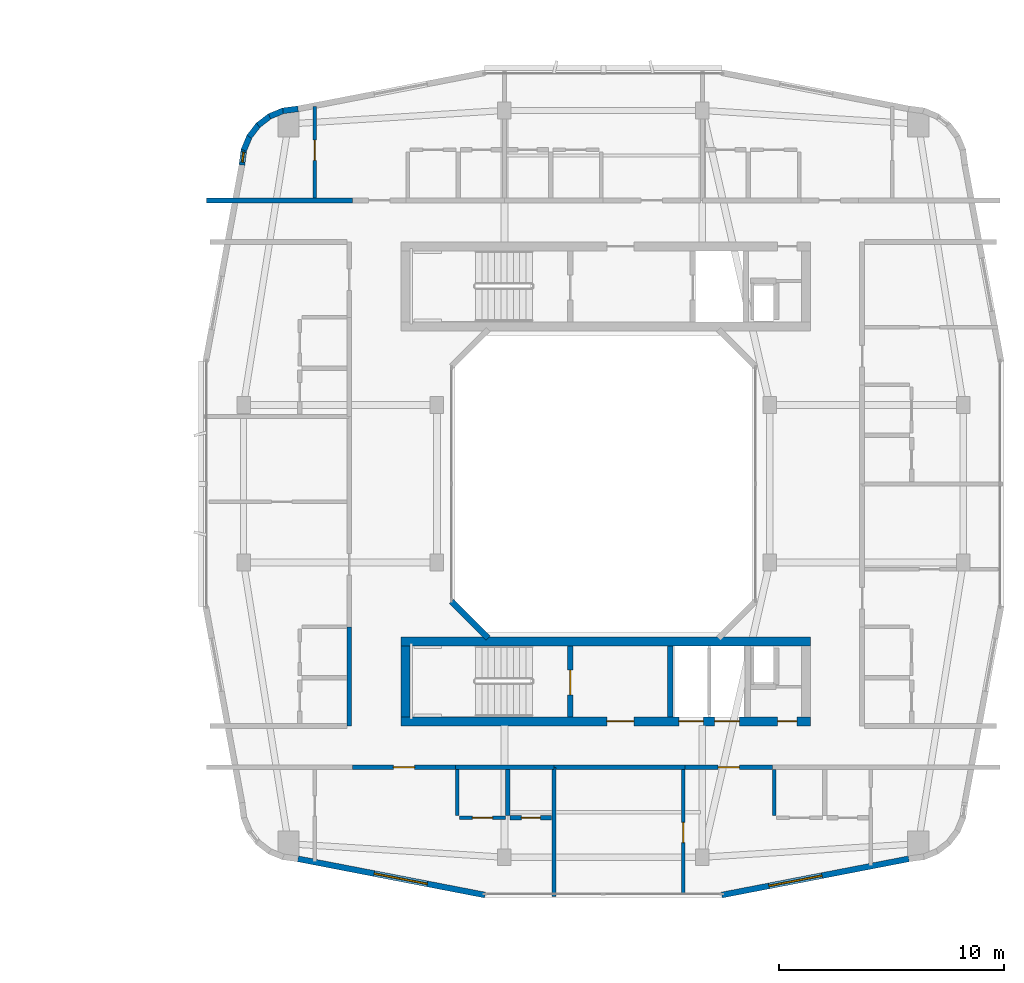
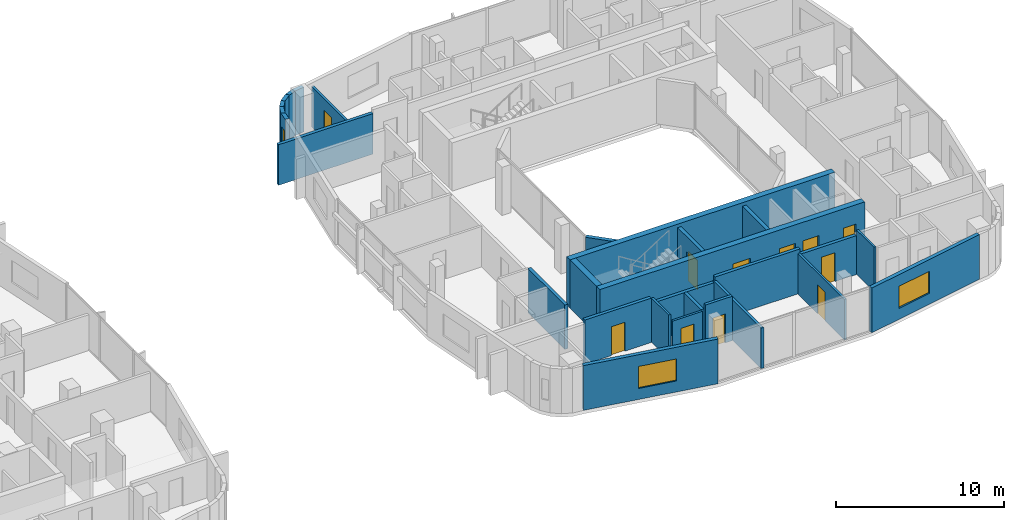
# One storey, part 17 of 26: 28 walls, 11 doors, 3 windows, 14 openings.
"""IFC4 building model written with IfcOpenShell, lengths in metres."""

from ifc_helpers import new_model, si_unit, derived_unit, direction, frame, frame_2d, origin, place, context, subcontext, project, spatial, rectangle, extrude, material, layer, layer_set, type_object, element, fill, save


model = new_model("IFC4")

# Units and contexts
model_context = context("Model", 3, precision=1e-05, world=origin(), true_north=direction((0.0, 1.0)))
body_context = subcontext(model_context, "Body", "Model", "MODEL_VIEW")
ifc_project = project(units=[si_unit("LENGTHUNIT", "METRE"), si_unit("AREAUNIT", "SQUARE_METRE"), si_unit("VOLUMEUNIT", "CUBIC_METRE"), si_unit("PLANEANGLEUNIT", "RADIAN"), si_unit("MASSUNIT", "GRAM", prefix="KILO"), derived_unit("THERMALTRANSMITTANCEUNIT", [(si_unit("POWERUNIT", "WATT"), 1), (si_unit("LENGTHUNIT", "METRE"), -2), (si_unit("THERMODYNAMICTEMPERATUREUNIT", "KELVIN"), -1)])], contexts=[model_context])

# Site, building, storey
site_placement = place(None, origin())
site = spatial("IfcSite", under=ifc_project, at=site_placement, CompositionType="ELEMENT")
building_placement = place(site_placement, origin())
building = spatial("IfcBuilding", under=site, at=building_placement, Name="Kivonza Crest Hotel", CompositionType="ELEMENT")
storey_placement = place(building_placement, frame((0.0, 0.0, 98.5)))
storey = spatial("IfcBuildingStorey", under=building, at=storey_placement, Name="L26", CompositionType="ELEMENT", Elevation=98.5)

# Walls
ifc_material_1 = material(Name="High-density acoustic masonry inter-tenancy wall", Category="masonry")
ifc_layer_1 = layer(ifc_material_1, 0.179931640625)
ifc_layer_set_1 = layer_set([ifc_layer_1], Name="High-density acoustic masonry inter-tenancy wall")
wall_type_1 = type_object("IfcWallType", Name="WL-ACOU-180", PredefinedType="SOLIDWALL", material=ifc_layer_set_1)
wall_1_placement = place(storey_placement, frame((74.800048828125, 6.659912109375, 0.0), z_axis=(0.0, 0.0, 1.0), x_axis=(0.0, 1.0, 0.0)))
element("IfcWall", 1, at=wall_1_placement, inside=storey, type_object=wall_type_1, Name="L26 interior partition WA-L26-T2S-DIV1", PredefinedType="SOLIDWALL", context=body_context, shape_type="SweptSolid", body=[
    extrude(rectangle(XDim=5.739990234375, YDim=0.179931640625, at=frame_2d((2.8701171875, 0.0))), origin(), (0.0, 0.0, 1.0), 2.945068359375),
])
ifc_material_2 = material(Name="Autoclaved aerated concrete blockwork", Category="masonry")
ifc_layer_2 = layer(ifc_material_2, 0.219970703125)
ifc_layer_set_2 = layer_set([ifc_layer_2], Name="Autoclaved aerated concrete blockwork")
wall_type_2 = type_object("IfcWallType", Name="WL-ACOU-220", PredefinedType="SOLIDWALL", material=ifc_layer_set_2)
wall_2_placement = place(storey_placement, frame((59.360107421875, 37.60009765625, 0.0), z_axis=(0.0, 0.0, 1.0), x_axis=(1.0, 0.0, 0.0)))
element("IfcWall", 2, at=wall_2_placement, inside=storey, type_object=wall_type_2, Name="L26 interior partition WA-L26-A01-LCORR", PredefinedType="SOLIDWALL", context=body_context, shape_type="SweptSolid", body=[
    extrude(rectangle(XDim=6.489990234375, YDim=0.219970703125, at=frame_2d((3.2451171875, 0.0))), origin(), (0.0, 0.0, 1.0), 2.945068359375),
])
wall_3_placement = place(storey_placement, frame((70.419921875, 12.39990234375, 0.0), z_axis=(0.0, 0.0, 1.0), x_axis=(1.0, 0.0, 0.0)))
element("IfcWall", 3, at=wall_3_placement, inside=storey, type_object=wall_type_2, Name="L26 interior partition WA-L26-A04-RCORR", PredefinedType="SOLIDWALL", context=body_context, shape_type="SweptSolid", body=[
    extrude(rectangle(XDim=4.380126953125, YDim=0.219970703125, at=frame_2d((2.18994140625, 0.0))), origin(), (0.0, 0.0, 1.0), 2.824951171875),
])

# Wall, opening, door
wall_4_placement = place(storey_placement, frame((65.85009765625, 12.39990234375, 0.0), z_axis=(0.0, 0.0, 1.0), x_axis=(1.0, 0.0, 0.0)))
wall_4 = element("IfcWall", 4, at=wall_4_placement, inside=storey, type_object=wall_type_2, Name="L26 interior partition WA-L26-A04-MCORR", PredefinedType="SOLIDWALL", context=body_context, shape_type="SweptSolid", body=[
    extrude(rectangle(XDim=4.56982421875, YDim=0.219970703125, at=frame_2d((2.284912109375, 0.0))), origin(), (0.0, 0.0, 1.0), 3.219970703125),
])
opening_1_placement = place(wall_4_placement, frame((1.81005859375, 0.0, 0.0)))
opening_1 = element("IfcOpeningElement", 5, at=opening_1_placement, cuts=wall_4, Name="Opening DU-60", PredefinedType="OPENING", context=body_context, shape_type="SweptSolid", body=[
    extrude(rectangle(XDim=0.949951171875, YDim=2.10009765625, at=frame_2d((0.47509765625, 1.050048828125))), frame((0.0, 0.1201171875, 0.0), z_axis=(0.0, -1.0, 0.0), x_axis=(1.0, 0.0, 0.0)), (0.0, 0.0, 1.0), 0.239990234375),
])
ifc_material_3 = material(Name="Hardwood timber oak", Category="wood")
door_type_1 = type_object("IfcDoorType", Name="DR-UNIT-950", OperationType="NOTDEFINED", PredefinedType="DOOR", material=ifc_material_3)
door_1_placement = place(opening_1_placement, frame((0.949951171875, 0.0, 0.0), z_axis=(0.0, 0.0, 1.0), x_axis=(-1.0, 0.0, 0.0)))
door_1 = element("IfcDoor", 6, at=door_1_placement, inside=storey, type_object=door_type_1, Name="L26 A04 apartment entrance fire door", OperationType="SINGLE_SWING_RIGHT", OverallHeight=2.10009765625, OverallWidth=0.949951171875, PredefinedType="DOOR", context=body_context, shape_type="SweptSolid", body=[
    extrude(rectangle(XDim=0.949951171875, YDim=2.10009765625, at=frame_2d((0.47509765625, 1.050048828125))), frame((0.0, 0.02490234375, 0.0), z_axis=(0.0, -1.0, 0.0), x_axis=(1.0, 0.0, 0.0)), (0.0, 0.0, 1.0), 0.050048828125),
])
fill(opening_1, door_1)

# Wall
wall_5_placement = place(storey_placement, frame((74.800048828125, 12.39990234375, 0.0), z_axis=(0.0, 0.0, 1.0), x_axis=(1.0, 0.0, 0.0)))
element("IfcWall", 7, at=wall_5_placement, inside=storey, type_object=wall_type_2, Name="L26 interior partition WA-L26-A05-LCORR", PredefinedType="SOLIDWALL", context=body_context, shape_type="SweptSolid", body=[
    extrude(rectangle(XDim=5.829833984375, YDim=0.219970703125, at=frame_2d((2.9150390625, 0.0))), origin(), (0.0, 0.0, 1.0), 3.219970703125),
])

# Wall, opening, door
wall_6_placement = place(storey_placement, frame((80.6298828125, 12.39990234375, 0.0), z_axis=(0.0, 0.0, 1.0), x_axis=(1.0, 0.0, 0.0)))
wall_6 = element("IfcWall", 8, at=wall_6_placement, inside=storey, type_object=wall_type_2, Name="L26 interior partition WA-L26-A05-MCORR", PredefinedType="SOLIDWALL", context=body_context, shape_type="SweptSolid", body=[
    extrude(rectangle(XDim=3.880126953125, YDim=0.219970703125, at=frame_2d((1.93994140625, 0.0))), origin(), (0.0, 0.0, 1.0), 2.824951171875),
])
opening_2_placement = place(wall_6_placement, frame((1.465087890625, 0.0, 0.0)))
opening_2 = element("IfcOpeningElement", 9, at=opening_2_placement, cuts=wall_6, Name="Opening DU-60", PredefinedType="OPENING", context=body_context, shape_type="SweptSolid", body=[
    extrude(rectangle(XDim=0.949951171875, YDim=2.10009765625, at=frame_2d((0.47509765625, 1.050048828125))), frame((0.0, 0.1201171875, 0.0), z_axis=(0.0, -1.0, 0.0), x_axis=(1.0, 0.0, 0.0)), (0.0, 0.0, 1.0), 0.239990234375),
])
door_2_placement = place(opening_2_placement, frame((0.949951171875, 0.0, 0.0), z_axis=(0.0, 0.0, 1.0), x_axis=(-1.0, 0.0, 0.0)))
door_2 = element("IfcDoor", 10, at=door_2_placement, inside=storey, type_object=door_type_1, Name="L26 A05 apartment entrance fire door", OperationType="SINGLE_SWING_LEFT", OverallHeight=2.10009765625, OverallWidth=0.949951171875, PredefinedType="DOOR", context=body_context, shape_type="SweptSolid", body=[
    extrude(rectangle(XDim=0.949951171875, YDim=2.10009765625, at=frame_2d((0.47509765625, 1.050048828125))), frame((0.0, 0.02490234375, 0.0), z_axis=(0.0, -1.0, 0.0), x_axis=(1.0, 0.0, 0.0)), (0.0, 0.0, 1.0), 0.050048828125),
])
fill(opening_2, door_2)

# Wall
wall_7_placement = place(storey_placement, frame((65.699951171875, 14.239990234375, 0.0), z_axis=(0.0, 0.0, 1.0), x_axis=(0.0, 1.0, 0.0)))
element("IfcWall", 11, at=wall_7_placement, inside=storey, type_object=wall_type_2, Name="L26 interior partition WA-L26-A06-BCORR", PredefinedType="SOLIDWALL", context=body_context, shape_type="SweptSolid", body=[
    extrude(rectangle(XDim=4.39990234375, YDim=0.219970703125, at=frame_2d((2.199951171875, 0.0))), origin(), (0.0, 0.0, 1.0), 3.219970703125),
])

# Wall, openings, doors
ifc_material_4 = material(Name="Concrete C50/60", Category="concrete")
ifc_layer_3 = layer(ifc_material_4, 0.39990234375)
ifc_layer_set_3 = layer_set([ifc_layer_3], Name="Concrete C50/60")
wall_type_3 = type_object("IfcWallType", Name="WL-CORE-400", PredefinedType="SHEAR", material=ifc_layer_set_3)
wall_8_placement = place(storey_placement, frame((68.0, 14.43994140625, 0.0), z_axis=(0.0, 0.0, 1.0), x_axis=(1.0, 0.0, 0.0)))
wall_8 = element("IfcWall", 12, at=wall_8_placement, inside=storey, type_object=wall_type_3, Name="Core wall T2-S South L26", PredefinedType="SHEAR", context=body_context, shape_type="SweptSolid", body=[
    extrude(rectangle(XDim=18.199951171875, YDim=0.39990234375, at=frame_2d((9.10009765625, 0.0))), origin(), (0.0, 0.0, 1.0), 3.5),
])
opening_3_placement = place(wall_8_placement, frame((9.14990234375, 0.0, 0.0)))
opening_3 = element("IfcOpeningElement", 13, at=opening_3_placement, cuts=wall_8, Name="Opening DF-60", PredefinedType="OPENING", context=body_context, shape_type="SweptSolid", body=[
    extrude(rectangle(XDim=1.199951171875, YDim=2.14990234375, at=frame_2d((0.60009765625, 1.074951171875))), frame((0.0, 0.2099609375, 0.0), z_axis=(0.0, -1.0, 0.0), x_axis=(1.0, 0.0, 0.0)), (0.0, 0.0, 1.0), 0.419921875),
])
opening_4_placement = place(wall_8_placement, frame((16.75, 0.0, 0.0)))
opening_4 = element("IfcOpeningElement", 14, at=opening_4_placement, cuts=wall_8, Name="Opening DF-60R", PredefinedType="OPENING", context=body_context, shape_type="SweptSolid", body=[
    extrude(rectangle(XDim=0.85009765625, YDim=2.10009765625, at=frame_2d((0.425048828125, 1.050048828125))), frame((0.0, 0.2099609375, 0.0), z_axis=(0.0, -1.0, 0.0), x_axis=(1.0, 0.0, 0.0)), (0.0, 0.0, 1.0), 0.419921875),
])
opening_5_placement = place(wall_8_placement, frame((12.35009765625, 0.0, 0.0)))
opening_5 = element("IfcOpeningElement", 15, at=opening_5_placement, cuts=wall_8, Name="Opening LD-120", PredefinedType="OPENING", context=body_context, shape_type="SweptSolid", body=[
    extrude(rectangle(XDim=1.10009765625, YDim=2.14990234375, at=frame_2d((0.550048828125, 1.074951171875))), frame((0.0, 0.2099609375, 0.0), z_axis=(0.0, -1.0, 0.0), x_axis=(1.0, 0.0, 0.0)), (0.0, 0.0, 1.0), 0.419921875),
])
opening_6_placement = place(wall_8_placement, frame((13.949951171875, 0.0, 0.0)))
opening_6 = element("IfcOpeningElement", 16, at=opening_6_placement, cuts=wall_8, Name="Opening LD-120", PredefinedType="OPENING", context=body_context, shape_type="SweptSolid", body=[
    extrude(rectangle(XDim=1.10009765625, YDim=2.14990234375, at=frame_2d((0.550048828125, 1.074951171875))), frame((0.0, 0.2099609375, 0.0), z_axis=(0.0, -1.0, 0.0), x_axis=(1.0, 0.0, 0.0)), (0.0, 0.0, 1.0), 0.419921875),
])
door_type_2 = type_object("IfcDoorType", Name="DR-FD60-1200", OperationType="NOTDEFINED", PredefinedType="DOOR", material=ifc_material_3)
door_3_placement = place(opening_3_placement, frame((1.199951171875, 0.0, 0.0), z_axis=(0.0, 0.0, 1.0), x_axis=(-1.0, 0.0, 0.0)))
door_3 = element("IfcDoor", 17, at=door_3_placement, inside=storey, type_object=door_type_2, Name="L26 T2-S firefighting lobby fire door", OperationType="SINGLE_SWING_LEFT", OverallHeight=2.14990234375, OverallWidth=1.199951171875, PredefinedType="DOOR", context=body_context, shape_type="SweptSolid", body=[
    extrude(rectangle(XDim=1.199951171875, YDim=2.14990234375, at=frame_2d((0.60009765625, 1.074951171875))), frame((0.0, 0.02490234375, 0.0), z_axis=(0.0, -1.0, 0.0), x_axis=(1.0, 0.0, 0.0)), (0.0, 0.0, 1.0), 0.050048828125),
])
fill(opening_3, door_3)
door_type_3 = type_object("IfcDoorType", Name="DR-FD60-850", OperationType="NOTDEFINED", PredefinedType="DOOR", material=ifc_material_3)
door_4_placement = place(opening_4_placement, frame((0.85009765625, 0.0, 0.0), z_axis=(0.0, 0.0, 1.0), x_axis=(-1.0, 0.0, 0.0)))
door_4 = element("IfcDoor", 18, at=door_4_placement, inside=storey, type_object=door_type_3, Name="L26 T2-S core room door", OperationType="SINGLE_SWING_RIGHT", OverallHeight=2.10009765625, OverallWidth=0.85009765625, PredefinedType="DOOR", context=body_context, shape_type="SweptSolid", body=[
    extrude(rectangle(XDim=0.85009765625, YDim=2.10009765625, at=frame_2d((0.425048828125, 1.050048828125))), frame((0.0, 0.02490234375, 0.0), z_axis=(0.0, -1.0, 0.0), x_axis=(1.0, 0.0, 0.0)), (0.0, 0.0, 1.0), 0.050048828125),
])
fill(opening_4, door_4)
ifc_material_5 = material(Name="Stainless steel", Category="steel")
door_type_4 = type_object("IfcDoorType", Name="DR-LD120-1100", OperationType="NOTDEFINED", PredefinedType="DOOR", material=ifc_material_5)
door_5_placement = place(opening_5_placement, frame((1.10009765625, 0.0, 0.0), z_axis=(0.0, 0.0, 1.0), x_axis=(-1.0, 0.0, 0.0)))
door_5 = element("IfcDoor", 19, at=door_5_placement, inside=storey, type_object=door_type_4, Name="L26 PL-T2-1 passenger lift sliding landing door", OperationType="DOUBLE_DOOR_SLIDING", OverallHeight=2.14990234375, OverallWidth=1.10009765625, PredefinedType="DOOR", context=body_context, shape_type="SweptSolid", body=[
    extrude(rectangle(XDim=1.10009765625, YDim=2.14990234375, at=frame_2d((0.550048828125, 1.074951171875))), frame((0.0, 0.02490234375, 0.0), z_axis=(0.0, -1.0, 0.0), x_axis=(1.0, 0.0, 0.0)), (0.0, 0.0, 1.0), 0.050048828125),
])
fill(opening_5, door_5)
door_6_placement = place(opening_6_placement, frame((1.10009765625, 0.0, 0.0), z_axis=(0.0, 0.0, 1.0), x_axis=(-1.0, 0.0, 0.0)))
door_6 = element("IfcDoor", 20, at=door_6_placement, inside=storey, type_object=door_type_4, Name="L26 PL-T2-2 passenger lift sliding landing door", OperationType="DOUBLE_DOOR_SLIDING", OverallHeight=2.14990234375, OverallWidth=1.10009765625, PredefinedType="DOOR", context=body_context, shape_type="SweptSolid", body=[
    extrude(rectangle(XDim=1.10009765625, YDim=2.14990234375, at=frame_2d((0.550048828125, 1.074951171875))), frame((0.0, 0.02490234375, 0.0), z_axis=(0.0, -1.0, 0.0), x_axis=(1.0, 0.0, 0.0)), (0.0, 0.0, 1.0), 0.050048828125),
])
fill(opening_6, door_6)

# Walls
wall_9_placement = place(storey_placement, frame((68.0, 18.0, 0.0), z_axis=(0.0, 0.0, 1.0), x_axis=(1.0, 0.0, 0.0)))
element("IfcWall", 21, at=wall_9_placement, inside=storey, type_object=wall_type_3, Name="Core wall T2-S North L26", PredefinedType="SHEAR", context=body_context, shape_type="SweptSolid", body=[
    extrude(rectangle(XDim=18.199951171875, YDim=0.39990234375, at=frame_2d((9.10009765625, 0.0))), origin(), (0.0, 0.0, 1.0), 3.5),
])
wall_10_placement = place(storey_placement, frame((68.199951171875, 14.639892578125, 0.0), z_axis=(0.0, 0.0, 1.0), x_axis=(0.0, 1.0, 0.0)))
element("IfcWall", 22, at=wall_10_placement, inside=storey, type_object=wall_type_3, Name="Core wall T2-S West L26", PredefinedType="SHEAR", context=body_context, shape_type="SweptSolid", body=[
    extrude(rectangle(XDim=3.16015625, YDim=0.39990234375, at=frame_2d((1.580078125, 0.0))), origin(), (0.0, 0.0, 1.0), 3.5),
])

# Wall, opening, window
ifc_material_6 = material(Name="Precast concrete C40/50", Category="concrete")
ifc_layer_4 = layer(ifc_material_6, 0.260009765625)
ifc_layer_set_4 = layer_set([ifc_layer_4], Name="Precast concrete C40/50")
wall_type_4 = type_object("IfcWallType", Name="WL-EXT-260", PredefinedType="STANDARD", material=ifc_layer_set_4)
wall_11_placement = place(storey_placement, frame((63.4169921875, 8.330078125, 0.0), z_axis=(0.0, 0.0, 1.0), x_axis=(0.981750199588, -0.190175039396, 0.0)))
wall_11 = element("IfcWall", 23, at=wall_11_placement, inside=storey, type_object=wall_type_4, Name="L26 T2 exterior insulated wall 7", PredefinedType="STANDARD", context=body_context, shape_type="SweptSolid", body=[
    extrude(rectangle(XDim=8.476806640625, YDim=0.260009765625, at=frame_2d((4.23828125, 0.0))), origin(), (0.0, 0.0, 1.0), 3.25),
])
opening_7_placement = place(wall_11_placement, frame((3.4541015625, 0.0, 0.800048828125)))
opening_7 = element("IfcOpeningElement", 24, at=opening_7_placement, cuts=wall_11, Name="Opening WN-05", PredefinedType="OPENING", context=body_context, shape_type="SweptSolid", body=[
    extrude(rectangle(XDim=2.39990234375, YDim=1.60009765625, at=frame_2d((1.199951171875, 0.800048828125))), frame((0.0, 0.14013671875, 0.0), z_axis=(0.0, -1.0, 0.0), x_axis=(1.0, 0.0, 0.0)), (0.0, 0.0, 1.0), 0.280029296875),
])
ifc_material_7 = material(Name="Thermally broken bronze aluminium and low-E double glazing", Category="aluminium")
window_type_1 = type_object("IfcWindowType", Name="WN-240x160", PartitioningType="TRIPLE_PANEL_VERTICAL", PredefinedType="WINDOW", material=ifc_material_7)
window_1_placement = place(opening_7_placement, origin())
window_1 = element("IfcWindow", 25, at=window_1_placement, inside=storey, type_object=window_type_1, Name="L26 T2 facade window 7", OverallHeight=1.60009765625, OverallWidth=2.39990234375, PartitioningType="SINGLE_PANEL", PredefinedType="WINDOW", context=body_context, shape_type="SweptSolid", body=[
    extrude(rectangle(XDim=2.39990234375, YDim=1.60009765625, at=frame_2d((1.199951171875, 0.800048828125))), frame((0.0, 0.030029296875, 0.0), z_axis=(0.0, -1.0, 0.0), x_axis=(1.0, 0.0, 0.0)), (0.0, 0.0, 1.0), 0.06005859375),
])
fill(opening_7, window_1)

wall_12_placement = place(storey_placement, frame((82.260986328125, 6.718017578125, 0.0), z_axis=(0.0, 0.0, 1.0), x_axis=(0.981750199588, 0.190175039396, 0.0)))
wall_12 = element("IfcWall", 26, at=wall_12_placement, inside=storey, type_object=wall_type_4, Name="L26 T2 exterior insulated wall 9", PredefinedType="STANDARD", context=body_context, shape_type="SweptSolid", body=[
    extrude(rectangle(XDim=8.476806640625, YDim=0.260009765625, at=frame_2d((4.23828125, 0.0))), origin(), (0.0, 0.0, 1.0), 3.25),
])
opening_8_placement = place(wall_12_placement, frame((2.138916015625, 0.0, 0.800048828125)))
opening_8 = element("IfcOpeningElement", 27, at=opening_8_placement, cuts=wall_12, Name="Opening WN-05", PredefinedType="OPENING", context=body_context, shape_type="SweptSolid", body=[
    extrude(rectangle(XDim=2.39990234375, YDim=1.60009765625, at=frame_2d((1.199951171875, 0.800048828125))), frame((0.0, 0.14013671875, 0.0), z_axis=(0.0, -1.0, 0.0), x_axis=(1.0, 0.0, 0.0)), (0.0, 0.0, 1.0), 0.280029296875),
])
window_2_placement = place(opening_8_placement, origin())
window_2 = element("IfcWindow", 28, at=window_2_placement, inside=storey, type_object=window_type_1, Name="L26 T2 facade window 9", OverallHeight=1.60009765625, OverallWidth=2.39990234375, PartitioningType="SINGLE_PANEL", PredefinedType="WINDOW", context=body_context, shape_type="SweptSolid", body=[
    extrude(rectangle(XDim=2.39990234375, YDim=1.60009765625, at=frame_2d((1.199951171875, 0.800048828125))), frame((0.0, 0.030029296875, 0.0), z_axis=(0.0, -1.0, 0.0), x_axis=(1.0, 0.0, 0.0)), (0.0, 0.0, 1.0), 0.06005859375),
])
fill(opening_8, window_2)

# Walls
wall_13_placement = place(storey_placement, frame((63.425048828125, 41.672119140625, 0.0), z_axis=(0.0, 0.0, 1.0), x_axis=(-0.991300187529, -0.13162043232, 0.0)))
element("IfcWall", 29, at=wall_13_placement, inside=storey, type_object=wall_type_4, Name="L26 T2 exterior insulated wall 28", PredefinedType="STANDARD", context=body_context, shape_type="SweptSolid", body=[
    extrude(rectangle(XDim=0.677001953125, YDim=0.260009765625, at=frame_2d((0.33837890625, 0.0))), origin(), (0.0, 0.0, 1.0), 3.25),
])
for number, where, z_axis, x_axis, name in (
    (30, (62.800048828125, 41.60107421875, 0.0), (0.0, 0.0, 1.0), (-0.924093981904, -0.382165294877, 0.0), "L26 T2 exterior insulated wall 29"),
    (31, (62.198974609375, 41.364013671875, 0.0), (0.0, 0.0, 1.0), (-0.792637067512, -0.609693758543, 0.0), "L26 T2 exterior insulated wall 30"),
    (32, (61.679931640625, 40.97900390625, 0.0), (0.0, 0.0, 1.0), (-0.609472651958, -0.792807092876, 0.0), "L26 T2 exterior insulated wall 31"),
):
    element("IfcWall", number, at=place(storey_placement, frame(where, z_axis=z_axis, x_axis=x_axis)), inside=storey, type_object=wall_type_4, Name=name, PredefinedType="STANDARD", context=body_context, shape_type="SweptSolid", body=[
        extrude(rectangle(XDim=0.69384765625, YDim=0.260009765625, at=frame_2d((0.346923828125, 0.0))), origin(), (0.0, 0.0, 1.0), 3.25),
    ])
wall_14_placement = place(storey_placement, frame((61.278076171875, 40.472900390625, 0.0), z_axis=(0.0, 0.0, 1.0), x_axis=(-0.382289608286, -0.924042561464, 0.0)))
element("IfcWall", 33, at=wall_14_placement, inside=storey, type_object=wall_type_4, Name="L26 T2 exterior insulated wall 32", PredefinedType="STANDARD", context=body_context, shape_type="SweptSolid", body=[
    extrude(rectangle(XDim=0.693603515625, YDim=0.260009765625, at=frame_2d((0.3466796875, 0.0))), origin(), (0.0, 0.0, 1.0), 3.25),
])

# Wall, opening, window
wall_15_placement = place(storey_placement, frame((61.02099609375, 39.881103515625, 0.0), z_axis=(0.0, 0.0, 1.0), x_axis=(-0.130614135366, -0.991433279471, 0.0)))
wall_15 = element("IfcWall", 34, at=wall_15_placement, inside=storey, type_object=wall_type_4, Name="L26 T2 exterior insulated wall 33", PredefinedType="STANDARD", context=body_context, shape_type="SweptSolid", body=[
    extrude(rectangle(XDim=0.712158203125, YDim=0.260009765625, at=frame_2d((0.35595703125, 0.0))), origin(), (0.0, 0.0, 1.0), 3.25),
])
opening_9_placement = place(wall_15_placement, frame((0.131103515625, 0.0, 0.85009765625)))
opening_9 = element("IfcOpeningElement", 35, at=opening_9_placement, cuts=wall_15, Name="Opening WN-11", PredefinedType="OPENING", context=body_context, shape_type="SweptSolid", body=[
    extrude(rectangle(XDim=0.449951171875, YDim=1.5, at=frame_2d((0.22509765625, 0.75))), frame((0.0, 0.14013671875, 0.0), z_axis=(0.0, -1.0, 0.0), x_axis=(1.0, 0.0, 0.0)), (0.0, 0.0, 1.0), 0.280029296875),
])
window_type_2 = type_object("IfcWindowType", Name="WN-045x150", PartitioningType="SINGLE_PANEL", PredefinedType="WINDOW", material=ifc_material_7)
window_3_placement = place(opening_9_placement, origin())
window_3 = element("IfcWindow", 36, at=window_3_placement, inside=storey, type_object=window_type_2, Name="L26 corner vision window 3", OverallHeight=1.5, OverallWidth=0.449951171875, PartitioningType="SINGLE_PANEL", PredefinedType="WINDOW", context=body_context, shape_type="SweptSolid", body=[
    extrude(rectangle(XDim=0.449951171875, YDim=1.5, at=frame_2d((0.22509765625, 0.75))), frame((0.0, 0.030029296875, 0.0), z_axis=(0.0, -1.0, 0.0), x_axis=(1.0, 0.0, 0.0)), (0.0, 0.0, 1.0), 0.06005859375),
])
fill(opening_9, window_3)

# Wall
wall_16_placement = place(storey_placement, frame((70.243896484375, 19.77197265625, 0.0), z_axis=(0.0, 0.0, 1.0), x_axis=(0.707106781187, -0.707106781187, 0.0)))
element("IfcWall", 37, at=wall_16_placement, inside=storey, type_object=wall_type_4, Name="L26 T2 light-well exterior wall 8", PredefinedType="STANDARD", context=body_context, shape_type="SweptSolid", body=[
    extrude(rectangle(XDim=2.310791015625, YDim=0.260009765625, at=frame_2d((1.1552734375, 0.0))), origin(), (0.0, 0.0, 1.0), 3.25),
])

# Wall, opening, door
ifc_material_8 = material(Name="Twin-stud acoustic gypsum board partition", Category="gypsum")
ifc_layer_5 = layer(ifc_material_8, 0.14990234375)
ifc_layer_set_5 = layer_set([ifc_layer_5], Name="Twin-stud acoustic gypsum board partition")
wall_type_5 = type_object("IfcWallType", Name="WL-PART-150", PredefinedType="PARTITIONING", material=ifc_layer_set_5)
wall_17_placement = place(storey_placement, frame((64.159912109375, 37.699951171875, 0.0), z_axis=(0.0, 0.0, 1.0), x_axis=(0.0, 1.0, 0.0)))
wall_17 = element("IfcWall", 38, at=wall_17_placement, inside=storey, type_object=wall_type_5, Name="L26 interior partition WP-L26-A01-BDW1", PredefinedType="PARTITIONING", context=body_context, shape_type="SweptSolid", body=[
    extrude(rectangle(XDim=4.0859375, YDim=0.14990234375, at=frame_2d((2.04296875, 0.0))), origin(), (0.0, 0.0, 1.0), 2.945068359375),
])
opening_10_placement = place(wall_17_placement, frame((1.679931640625, 0.0, 0.0)))
opening_10 = element("IfcOpeningElement", 39, at=opening_10_placement, cuts=wall_17, Name="Opening DI-90", PredefinedType="OPENING", context=body_context, shape_type="SweptSolid", body=[
    extrude(rectangle(XDim=0.89990234375, YDim=2.10009765625, at=frame_2d((0.449951171875, 1.050048828125))), frame((0.0, 0.0849609375, 0.0), z_axis=(0.0, -1.0, 0.0), x_axis=(1.0, 0.0, 0.0)), (0.0, 0.0, 1.0), 0.169921875),
])
door_type_5 = type_object("IfcDoorType", Name="DR-INT-900", OperationType="NOTDEFINED", PredefinedType="DOOR", material=ifc_material_3)
door_7_placement = place(opening_10_placement, origin())
door_7 = element("IfcDoor", 40, at=door_7_placement, inside=storey, type_object=door_type_5, Name="L26 A01 bedroom 1 door", OperationType="SINGLE_SWING_RIGHT", OverallHeight=2.10009765625, OverallWidth=0.89990234375, PredefinedType="DOOR", context=body_context, shape_type="SweptSolid", body=[
    extrude(rectangle(XDim=0.89990234375, YDim=2.10009765625, at=frame_2d((0.449951171875, 1.050048828125))), frame((0.0, 0.02490234375, 0.0), z_axis=(0.0, -1.0, 0.0), x_axis=(1.0, 0.0, 0.0)), (0.0, 0.0, 1.0), 0.050048828125),
])
fill(opening_10, door_7)

# Wall
wall_18_placement = place(storey_placement, frame((70.5, 10.25, 0.0), z_axis=(0.0, 0.0, 1.0), x_axis=(0.0, 1.0, 0.0)))
element("IfcWall", 41, at=wall_18_placement, inside=storey, type_object=wall_type_5, Name="L26 interior partition WP-L26-A04-KF", PredefinedType="PARTITIONING", context=body_context, shape_type="SweptSolid", body=[
    extrude(rectangle(XDim=2.050048828125, YDim=0.14990234375, at=frame_2d((1.02490234375, 0.0))), origin(), (0.0, 0.0, 1.0), 3.219970703125),
])

# Wall, opening, door
wall_19_placement = place(storey_placement, frame((70.60009765625, 10.14990234375, 0.0), z_axis=(0.0, 0.0, 1.0), x_axis=(1.0, 0.0, 0.0)))
wall_19 = element("IfcWall", 42, at=wall_19_placement, inside=storey, type_object=wall_type_5, Name="L26 interior partition WP-L26-A04-KSVC", PredefinedType="PARTITIONING", context=body_context, shape_type="SweptSolid", body=[
    extrude(rectangle(XDim=2.0498046875, YDim=0.14990234375, at=frame_2d((1.02490234375, 0.0))), origin(), (0.0, 0.0, 1.0), 2.824951171875),
])
opening_11_placement = place(wall_19_placement, frame((0.574951171875, 0.0, 0.0)))
opening_11 = element("IfcOpeningElement", 43, at=opening_11_placement, cuts=wall_19, Name="Opening DI-90", PredefinedType="OPENING", context=body_context, shape_type="SweptSolid", body=[
    extrude(rectangle(XDim=0.89990234375, YDim=2.10009765625, at=frame_2d((0.449951171875, 1.050048828125))), frame((0.0, 0.0849609375, 0.0), z_axis=(0.0, -1.0, 0.0), x_axis=(1.0, 0.0, 0.0)), (0.0, 0.0, 1.0), 0.169921875),
])
door_8_placement = place(opening_11_placement, frame((0.89990234375, 0.0, 0.0), z_axis=(0.0, 0.0, 1.0), x_axis=(-1.0, 0.0, 0.0)))
door_8 = element("IfcDoor", 44, at=door_8_placement, inside=storey, type_object=door_type_5, Name="L26 A04 apartment kitchen door", OperationType="SINGLE_SWING_RIGHT", OverallHeight=2.10009765625, OverallWidth=0.89990234375, PredefinedType="DOOR", context=body_context, shape_type="SweptSolid", body=[
    extrude(rectangle(XDim=0.89990234375, YDim=2.10009765625, at=frame_2d((0.449951171875, 1.050048828125))), frame((0.0, 0.02490234375, 0.0), z_axis=(0.0, -1.0, 0.0), x_axis=(1.0, 0.0, 0.0)), (0.0, 0.0, 1.0), 0.050048828125),
])
fill(opening_11, door_8)

wall_20_placement = place(storey_placement, frame((80.550048828125, 6.760009765625, 0.0), z_axis=(0.0, 0.0, 1.0), x_axis=(0.0, 1.0, 0.0)))
wall_20 = element("IfcWall", 45, at=wall_20_placement, inside=storey, type_object=wall_type_5, Name="L26 interior partition WP-L26-A05-BDW1", PredefinedType="PARTITIONING", context=body_context, shape_type="SweptSolid", body=[
    extrude(rectangle(XDim=5.5400390625, YDim=0.14990234375, at=frame_2d((2.77001953125, 0.0))), origin(), (0.0, 0.0, 1.0), 2.945068359375),
])
opening_12_placement = place(wall_20_placement, frame((2.2900390625, 0.0, 0.0)))
opening_12 = element("IfcOpeningElement", 46, at=opening_12_placement, cuts=wall_20, Name="Opening DI-90", PredefinedType="OPENING", context=body_context, shape_type="SweptSolid", body=[
    extrude(rectangle(XDim=0.89990234375, YDim=2.10009765625, at=frame_2d((0.449951171875, 1.050048828125))), frame((0.0, 0.0849609375, 0.0), z_axis=(0.0, -1.0, 0.0), x_axis=(1.0, 0.0, 0.0)), (0.0, 0.0, 1.0), 0.169921875),
])
door_9_placement = place(opening_12_placement, origin())
door_9 = element("IfcDoor", 47, at=door_9_placement, inside=storey, type_object=door_type_5, Name="L26 A05 bedroom 1 door", OperationType="SINGLE_SWING_RIGHT", OverallHeight=2.10009765625, OverallWidth=0.89990234375, PredefinedType="DOOR", context=body_context, shape_type="SweptSolid", body=[
    extrude(rectangle(XDim=0.89990234375, YDim=2.10009765625, at=frame_2d((0.449951171875, 1.050048828125))), frame((0.0, 0.02490234375, 0.0), z_axis=(0.0, -1.0, 0.0), x_axis=(1.0, 0.0, 0.0)), (0.0, 0.0, 1.0), 0.050048828125),
])
fill(opening_12, door_9)

# Walls
wall_21_placement = place(storey_placement, frame((84.590087890625, 10.25, 0.0), z_axis=(0.0, 0.0, 1.0), x_axis=(0.0, 1.0, 0.0)))
element("IfcWall", 48, at=wall_21_placement, inside=storey, type_object=wall_type_5, Name="L26 interior partition WP-L26-A05-KF", PredefinedType="PARTITIONING", context=body_context, shape_type="SweptSolid", body=[
    extrude(rectangle(XDim=2.050048828125, YDim=0.14990234375, at=frame_2d((1.02490234375, 0.0))), origin(), (0.0, 0.0, 1.0), 3.219970703125),
])
ifc_material_9 = material(Name="Moisture-resistant plumbing chase partition wall", Category="gypsum")
ifc_layer_6 = layer(ifc_material_9, 0.199951171875)
ifc_layer_set_6 = layer_set([ifc_layer_6], Name="Moisture-resistant plumbing chase partition wall")
wall_type_6 = type_object("IfcWallType", Name="WL-PLUMB-200", PredefinedType="PLUMBINGWALL", material=ifc_layer_set_6)
wall_22_placement = place(storey_placement, frame((72.75, 10.25, 0.0), z_axis=(0.0, 0.0, 1.0), x_axis=(0.0, 1.0, 0.0)))
element("IfcWall", 49, at=wall_22_placement, inside=storey, type_object=wall_type_6, Name="L26 interior partition WW-L26-A04-BK", PredefinedType="PLUMBINGWALL", context=body_context, shape_type="SweptSolid", body=[
    extrude(rectangle(XDim=2.050048828125, YDim=0.199951171875, at=frame_2d((1.02490234375, 0.0))), origin(), (0.0, 0.0, 1.0), 2.824951171875),
])

# Wall, opening, door
wall_23_placement = place(storey_placement, frame((72.85009765625, 10.14990234375, 0.0), z_axis=(0.0, 0.0, 1.0), x_axis=(1.0, 0.0, 0.0)))
wall_23 = element("IfcWall", 50, at=wall_23_placement, inside=storey, type_object=wall_type_6, Name="L26 interior partition WW-L26-A04-BSVC", PredefinedType="PLUMBINGWALL", context=body_context, shape_type="SweptSolid", body=[
    extrude(rectangle(XDim=1.849853515625, YDim=0.199951171875, at=frame_2d((0.9248046875, 0.0))), origin(), (0.0, 0.0, 1.0), 3.219970703125),
])
opening_13_placement = place(wall_23_placement, frame((0.5, 0.0, 0.0)))
opening_13 = element("IfcOpeningElement", 51, at=opening_13_placement, cuts=wall_23, Name="Opening DI-85", PredefinedType="OPENING", context=body_context, shape_type="SweptSolid", body=[
    extrude(rectangle(XDim=0.85009765625, YDim=2.10009765625, at=frame_2d((0.425048828125, 1.050048828125))), frame((0.0, 0.10986328125, 0.0), z_axis=(0.0, -1.0, 0.0), x_axis=(1.0, 0.0, 0.0)), (0.0, 0.0, 1.0), 0.219970703125),
])
door_type_6 = type_object("IfcDoorType", Name="DR-INT-850", OperationType="NOTDEFINED", PredefinedType="DOOR", material=ifc_material_3)
door_10_placement = place(opening_13_placement, frame((0.85009765625, 0.0, 0.0), z_axis=(0.0, 0.0, 1.0), x_axis=(-1.0, 0.0, 0.0)))
door_10 = element("IfcDoor", 52, at=door_10_placement, inside=storey, type_object=door_type_6, Name="L26 A04 apartment bathroom door", OperationType="SINGLE_SWING_LEFT", OverallHeight=2.10009765625, OverallWidth=0.85009765625, PredefinedType="DOOR", context=body_context, shape_type="SweptSolid", body=[
    extrude(rectangle(XDim=0.85009765625, YDim=2.10009765625, at=frame_2d((0.425048828125, 1.050048828125))), frame((0.0, 0.02490234375, 0.0), z_axis=(0.0, -1.0, 0.0), x_axis=(1.0, 0.0, 0.0)), (0.0, 0.0, 1.0), 0.050048828125),
])
fill(opening_13, door_10)

ifc_layer_7 = layer(ifc_material_4, 0.25)
ifc_layer_set_7 = layer_set([ifc_layer_7], Name="Concrete C50/60")
wall_type_7 = type_object("IfcWallType", Name="WL-SHAFT-250", PredefinedType="STANDARD", material=ifc_layer_set_7)
wall_24_placement = place(storey_placement, frame((75.52490234375, 14.639892578125, 0.0), z_axis=(0.0, 0.0, 1.0), x_axis=(0.0, 1.0, 0.0)))
wall_24 = element("IfcWall", 53, at=wall_24_placement, inside=storey, type_object=wall_type_7, Name="Core shaft wall T2-S STAIR L26", PredefinedType="STANDARD", context=body_context, shape_type="SweptSolid", body=[
    extrude(rectangle(XDim=3.16015625, YDim=0.25, at=frame_2d((1.580078125, 0.0))), origin(), (0.0, 0.0, 1.0), 3.25),
])
opening_14_placement = place(wall_24_placement, frame((0.97998046875, 0.0, 0.0)))
opening_14 = element("IfcOpeningElement", 54, at=opening_14_placement, cuts=wall_24, Name="Opening DF-120", PredefinedType="OPENING", context=body_context, shape_type="SweptSolid", body=[
    extrude(rectangle(XDim=1.10009765625, YDim=2.14990234375, at=frame_2d((0.550048828125, 1.074951171875))), frame((0.0, 0.135009765625, 0.0), z_axis=(0.0, -1.0, 0.0), x_axis=(1.0, 0.0, 0.0)), (0.0, 0.0, 1.0), 0.27001953125),
])
ifc_material_10 = material(Name="Galvanised steel", Category="steel")
door_type_7 = type_object("IfcDoorType", Name="DR-FD120-1100", OperationType="NOTDEFINED", PredefinedType="DOOR", material=ifc_material_10)
door_11_placement = place(opening_14_placement, frame((1.10009765625, 0.0, 0.0), z_axis=(0.0, 0.0, 1.0), x_axis=(-1.0, 0.0, 0.0)))
door_11 = element("IfcDoor", 55, at=door_11_placement, inside=storey, type_object=door_type_7, Name="L26 T2-S stair fire door", OperationType="SINGLE_SWING_RIGHT", OverallHeight=2.14990234375, OverallWidth=1.10009765625, PredefinedType="DOOR", context=body_context, shape_type="SweptSolid", body=[
    extrude(rectangle(XDim=1.10009765625, YDim=2.14990234375, at=frame_2d((0.550048828125, 1.074951171875))), frame((0.0, 0.02490234375, 0.0), z_axis=(0.0, -1.0, 0.0), x_axis=(1.0, 0.0, 0.0)), (0.0, 0.0, 1.0), 0.050048828125),
])
fill(opening_14, door_11)

# Wall
wall_25_placement = place(storey_placement, frame((79.97509765625, 14.639892578125, 0.0), z_axis=(0.0, 0.0, 1.0), x_axis=(0.0, 1.0, 0.0)))
element("IfcWall", 56, at=wall_25_placement, inside=storey, type_object=wall_type_7, Name="Core shaft wall T2-S BANK-W L26", PredefinedType="STANDARD", context=body_context, shape_type="SweptSolid", body=[
    extrude(rectangle(XDim=3.16015625, YDim=0.25, at=frame_2d((1.580078125, 0.0))), origin(), (0.0, 0.0, 1.0), 3.25),
])

save(model, "model.ifc")
